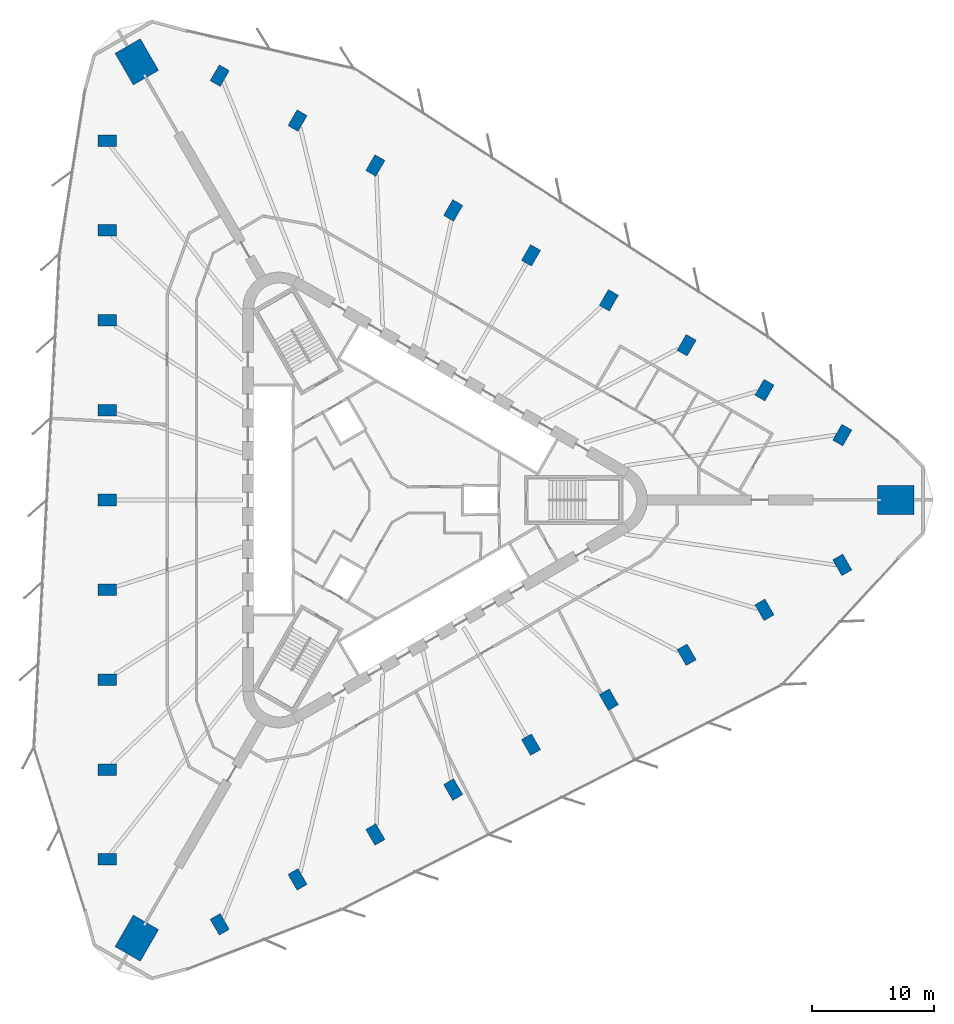
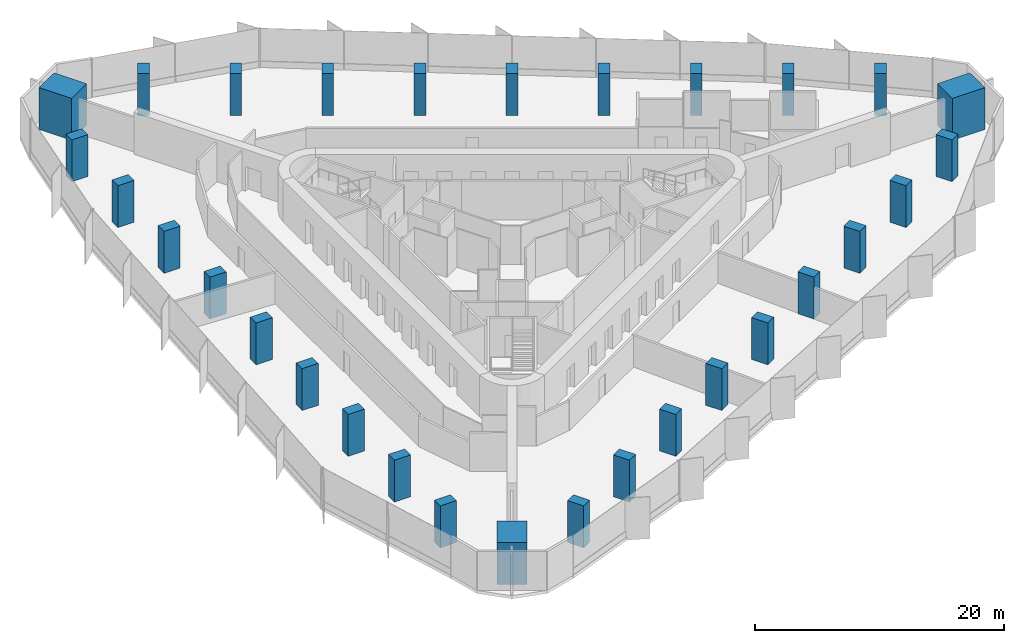
# One storey, part 1 of 14: 30 columns.
"""IFC4 building model written with IfcOpenShell, lengths in metres."""

from ifc_helpers import new_model, si_unit, direction, frame, origin, origin_2d, place, context, subcontext, project, spatial, rectangle, extrude, material, material_profile, profile_set, type_object, element, save


model = new_model("IFC4")

# Units and contexts
model_context = context("Model", 3, precision=1e-05, world=origin(), true_north=direction((0.0, 1.0)))
body_context = subcontext(model_context, "Body", "Model", "MODEL_VIEW")
ifc_project = project(units=[si_unit("LENGTHUNIT", "METRE"), si_unit("AREAUNIT", "SQUARE_METRE"), si_unit("VOLUMEUNIT", "CUBIC_METRE"), si_unit("PLANEANGLEUNIT", "RADIAN"), si_unit("MASSUNIT", "GRAM", prefix="KILO")], contexts=[model_context])

# Site, building, storey
site_placement = place(None, origin())
site = spatial("IfcSite", under=ifc_project, at=site_placement, CompositionType="ELEMENT")
building_placement = place(site_placement, origin())
building = spatial("IfcBuilding", under=site, at=building_placement, Name="Tanit Gate Tower", CompositionType="ELEMENT")
storey_placement = place(building_placement, frame((0.0, 0.0, 70.10009765625)))
storey = spatial("IfcBuildingStorey", under=building, at=storey_placement, Name="L13", CompositionType="ELEMENT", Elevation=70.10009765625)

# Columns
ifc_material_1 = material(Name="Concrete C70/85", Category="concrete")
ifc_material_profile_1 = material_profile(ifc_material_1, rectangle(XDim=3.0, YDim=2.39990234375, at=origin_2d()), Name="RC 3000x2400")
ifc_profile_set_1 = profile_set([ifc_material_profile_1], Name="Concrete C70/85")
column_type_1 = type_object("IfcColumnType", Name="MEGA COLUMN 3000x2400 C70/85", PredefinedType="COLUMN", material=ifc_profile_set_1)
for number, where, z_axis, x_axis, name in (
    (1, (41.615966796875, 0.0, 0.0), (0.0, 0.0, 1.0), (1.0, 0.0, 0.0), "MEGA COLUMN"),
    (2, (-20.80810546875, 36.04052734375, 0.0), (0.0, 0.0, 1.0), (-0.5, 0.866025403784, 0.0), "MEGA COLUMN"),
    (3, (-20.80810546875, -36.04052734375, 0.0), (0.0, 0.0, 1.0), (-0.5, -0.866025403784, 0.0), "MEGA COLUMN"),
):
    element("IfcColumn", number, at=place(storey_placement, frame(where, z_axis=z_axis, x_axis=x_axis)), inside=storey, type_object=column_type_1, Name=name, PredefinedType="COLUMN", context=body_context, shape_type="SweptSolid", body=[
        extrude(rectangle(XDim=3.0, YDim=2.39990234375, at=origin_2d()), origin(), (0.0, 0.0, 1.0), 4.099853515625),
    ])
ifc_material_2 = material(Name="Concrete C60/75", Category="concrete")
ifc_material_profile_2 = material_profile(ifc_material_2, rectangle(XDim=1.5, YDim=0.949951171875, at=origin_2d()), Name="RC 1500x950")
ifc_profile_set_2 = profile_set([ifc_material_profile_2], Name="Concrete C60/75")
column_type_2 = type_object("IfcColumnType", Name="PERIMETER COLUMN 1500x950 C60/75", PredefinedType="COLUMN", material=ifc_profile_set_2)
for number, where, z_axis, x_axis, name in (
    (4, (-23.235595703125, 29.56591796875, 0.0), (0.0, 0.0, 1.0), (-1.0, 0.0, 0.0), "PERIMETER COLUMN"),
    (5, (-23.235595703125, 22.17431640625, 0.0), (0.0, 0.0, 1.0), (-1.0, 0.0, 0.0), "PERIMETER COLUMN"),
    (6, (-23.235595703125, 14.782958984375, 0.0), (0.0, 0.0, 1.0), (-1.0, 0.0, 0.0), "PERIMETER COLUMN"),
    (7, (-23.235595703125, 7.391357421875, 0.0), (0.0, 0.0, 1.0), (-1.0, 0.0, 0.0), "PERIMETER COLUMN"),
    (8, (-23.235595703125, 0.0, 0.0), (0.0, 0.0, 1.0), (-1.0, 0.0, 0.0), "PERIMETER COLUMN"),
    (9, (-23.235595703125, -7.391357421875, 0.0), (0.0, 0.0, 1.0), (-1.0, 0.0, 0.0), "PERIMETER COLUMN"),
    (10, (-23.235595703125, -14.782958984375, 0.0), (0.0, 0.0, 1.0), (-1.0, 0.0, 0.0), "PERIMETER COLUMN"),
    (11, (-23.235595703125, -22.17431640625, 0.0), (0.0, 0.0, 1.0), (-1.0, 0.0, 0.0), "PERIMETER COLUMN"),
    (12, (-23.235595703125, -29.56591796875, 0.0), (0.0, 0.0, 1.0), (-1.0, 0.0, 0.0), "PERIMETER COLUMN"),
    (13, (37.22265625, 5.33984375, 0.0), (0.0, 0.0, 1.0), (0.5, 0.866025403784, 0.0), "PERIMETER COLUMN"),
    (14, (30.8212890625, 9.035400390625, 0.0), (0.0, 0.0, 1.0), (0.5, 0.866025403784, 0.0), "PERIMETER COLUMN"),
    (15, (24.420166015625, 12.731201171875, 0.0), (0.0, 0.0, 1.0), (0.5, 0.866025403784, 0.0), "PERIMETER COLUMN"),
    (16, (18.01904296875, 16.427001953125, 0.0), (0.0, 0.0, 1.0), (0.5, 0.866025403784, 0.0), "PERIMETER COLUMN"),
    (17, (11.617919921875, 20.122802734375, 0.0), (0.0, 0.0, 1.0), (0.5, 0.866025403784, 0.0), "PERIMETER COLUMN"),
    (18, (5.216796875, 23.818359375, 0.0), (0.0, 0.0, 1.0), (0.5, 0.866025403784, 0.0), "PERIMETER COLUMN"),
    (19, (-1.1845703125, 27.51416015625, 0.0), (0.0, 0.0, 1.0), (0.5, 0.866025403784, 0.0), "PERIMETER COLUMN"),
    (20, (-7.585693359375, 31.2099609375, 0.0), (0.0, 0.0, 1.0), (0.5, 0.866025403784, 0.0), "PERIMETER COLUMN"),
    (21, (-13.98681640625, 34.905517578125, 0.0), (0.0, 0.0, 1.0), (0.5, 0.866025403784, 0.0), "PERIMETER COLUMN"),
    (22, (-13.98681640625, -34.905517578125, 0.0), (0.0, 0.0, 1.0), (0.5, -0.866025403784, 0.0), "PERIMETER COLUMN"),
    (23, (-7.585693359375, -31.2099609375, 0.0), (0.0, 0.0, 1.0), (0.5, -0.866025403784, 0.0), "PERIMETER COLUMN"),
    (24, (-1.1845703125, -27.51416015625, 0.0), (0.0, 0.0, 1.0), (0.5, -0.866025403784, 0.0), "PERIMETER COLUMN"),
    (25, (5.216796875, -23.818359375, 0.0), (0.0, 0.0, 1.0), (0.5, -0.866025403784, 0.0), "PERIMETER COLUMN"),
    (26, (11.617919921875, -20.122802734375, 0.0), (0.0, 0.0, 1.0), (0.5, -0.866025403784, 0.0), "PERIMETER COLUMN"),
    (27, (18.01904296875, -16.427001953125, 0.0), (0.0, 0.0, 1.0), (0.5, -0.866025403784, 0.0), "PERIMETER COLUMN"),
    (28, (24.420166015625, -12.731201171875, 0.0), (0.0, 0.0, 1.0), (0.5, -0.866025403784, 0.0), "PERIMETER COLUMN"),
    (29, (30.8212890625, -9.035400390625, 0.0), (0.0, 0.0, 1.0), (0.5, -0.866025403784, 0.0), "PERIMETER COLUMN"),
    (30, (37.22265625, -5.33984375, 0.0), (0.0, 0.0, 1.0), (0.5, -0.866025403784, 0.0), "PERIMETER COLUMN"),
):
    element("IfcColumn", number, at=place(storey_placement, frame(where, z_axis=z_axis, x_axis=x_axis)), inside=storey, type_object=column_type_2, Name=name, PredefinedType="COLUMN", context=body_context, shape_type="SweptSolid", body=[
        extrude(rectangle(XDim=1.5, YDim=0.949951171875, at=origin_2d()), origin(), (0.0, 0.0, 1.0), 4.099853515625),
    ])

save(model, "model.ifc")
